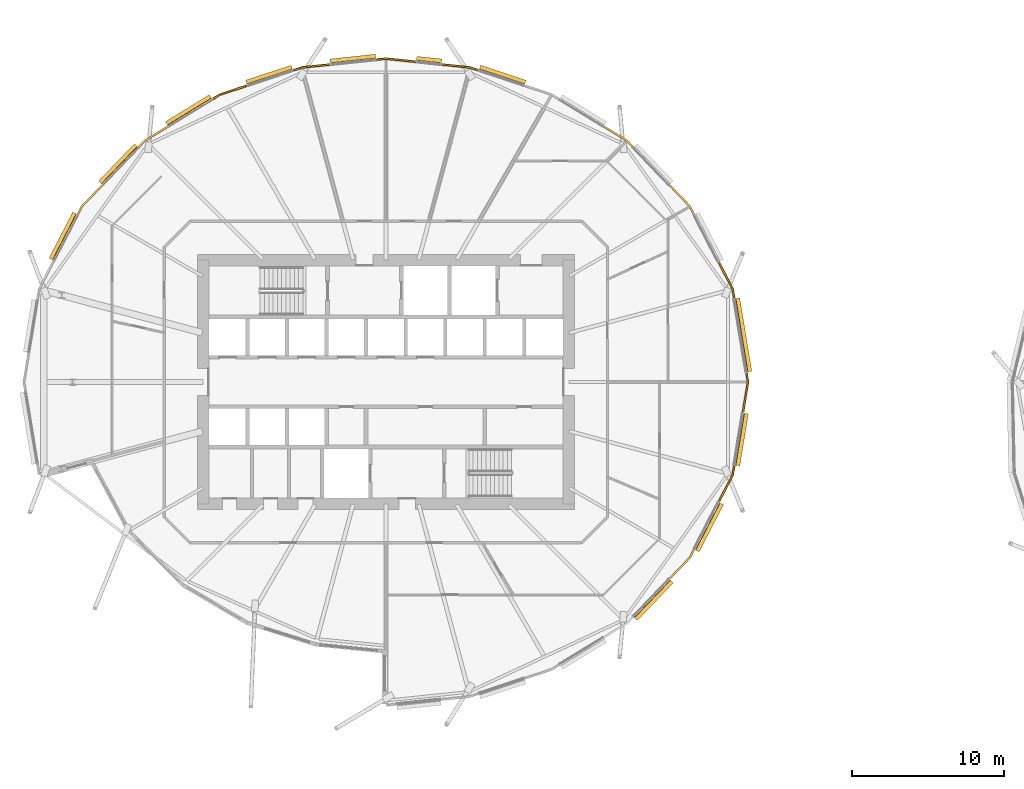
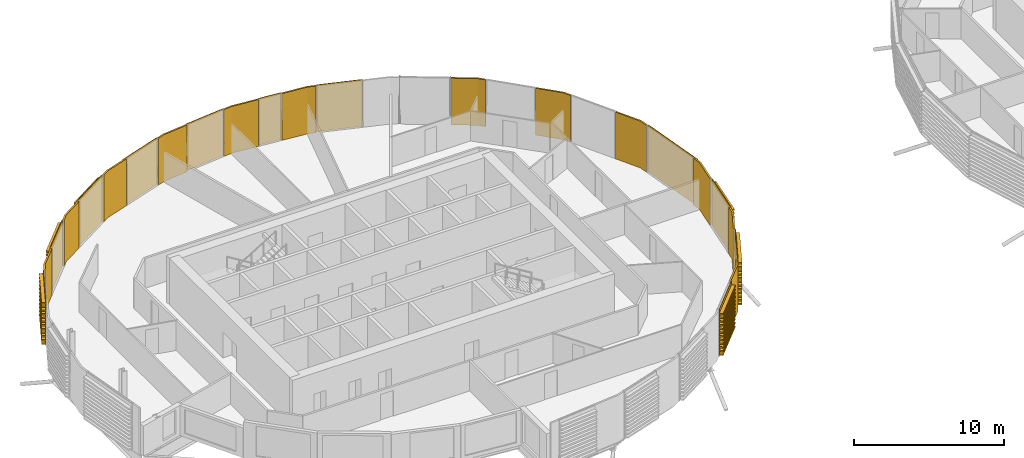
# One storey, part 37 of 40: 23 coverings.
"""IFC4 building model written with IfcOpenShell, lengths in metres."""

from ifc_helpers import new_model, si_unit, direction, frame, origin, place, context, subcontext, project, spatial, polyline, outline, extrude, material, layer, layer_set, material_profile, profile_set, type_object, element, save


model = new_model("IFC4")

# Units and contexts
model_context = context("Model", 3, precision=1e-05, world=origin(), true_north=direction((0.0, 1.0)))
body_context = subcontext(model_context, "Body", "Model", "MODEL_VIEW")
ifc_project = project(units=[si_unit("LENGTHUNIT", "METRE"), si_unit("AREAUNIT", "SQUARE_METRE"), si_unit("VOLUMEUNIT", "CUBIC_METRE"), si_unit("PLANEANGLEUNIT", "RADIAN"), si_unit("MASSUNIT", "GRAM", prefix="KILO")], contexts=[model_context])

# Site, building, storey
site_placement = place(None, origin())
site = spatial("IfcSite", under=ifc_project, at=site_placement, CompositionType="ELEMENT")
building_placement = place(site_placement, origin())
building = spatial("IfcBuilding", under=site, at=building_placement, Name="Rimbun Link Towers", CompositionType="ELEMENT")
storey_placement = place(building_placement, frame((0.0, 0.0, 89.199951171875)))
storey = spatial("IfcBuildingStorey", under=building, at=storey_placement, Name="L21", CompositionType="ELEMENT", Elevation=89.199951171875)

# Coverings
ifc_material_1 = material(Name="Terracotta", Category="masonry")
ifc_layer = layer(ifc_material_1, 0.1201171875)
ifc_layer_set = layer_set([ifc_layer], Name="LINK PIER terracotta cladding 120")
covering_type_1 = type_object("IfcCoveringType", Name="LINK PIER terracotta cladding 120", PredefinedType="CLADDING", material=ifc_layer_set)
covering_1_placement = place(storey_placement, origin())
element("IfcCovering", 1, at=covering_1_placement, inside=storey, type_object=covering_type_1, Name="LINK PIER cladding", PredefinedType="CLADDING", context=body_context, shape_type="SweptSolid", body=[
    extrude(outline(polyline([(-8.144775390625, 0.61181640625), (-8.044189453125, 0.0), (-8.371826171875, -1.9931640625), (-8.25341796875, -2.0126953125), (-7.922607421875, 0.0), (-8.0263671875, 0.63134765625), (-8.144775390625, 0.61181640625)])), origin(), (0.0, 0.0, 1.0), 3.800048828125),
])
covering_2_placement = place(storey_placement, origin())
element("IfcCovering", 2, at=covering_2_placement, inside=storey, type_object=covering_type_1, Name="LINK PIER cladding", PredefinedType="CLADDING", context=body_context, shape_type="SweptSolid", body=[
    extrude(outline(polyline([(-9.94970703125, 7.83349609375), (-9.04443359375, 6.083984375), (-8.94384765625, 5.47216796875), (-8.825439453125, 5.49169921875), (-8.92919921875, 6.1220703125), (-9.84326171875, 7.888671875), (-9.94970703125, 7.83349609375)])), origin(), (0.0, 0.0, 1.0), 3.800048828125),
])
covering_3_placement = place(storey_placement, origin())
element("IfcCovering", 3, at=covering_3_placement, inside=storey, type_object=covering_type_1, Name="LINK PIER cladding", PredefinedType="CLADDING", context=body_context, shape_type="SweptSolid", body=[
    extrude(outline(polyline([(-13.172119140625, 12.879150390625), (-11.84326171875, 11.4931640625), (-11.581298828125, 10.98681640625), (-11.474853515625, 11.0419921875), (-11.74462890625, 11.563720703125), (-13.08544921875, 12.962158203125), (-13.172119140625, 12.879150390625)])), origin(), (0.0, 0.0, 1.0), 3.800048828125),
])
covering_4_placement = place(storey_placement, origin())
element("IfcCovering", 4, at=covering_4_placement, inside=storey, type_object=covering_type_1, Name="LINK PIER cladding", PredefinedType="CLADDING", context=body_context, shape_type="SweptSolid", body=[
    extrude(outline(polyline([(-17.469970703125, 16.714599609375), (-15.96142578125, 15.78857421875), (-15.567138671875, 15.376953125), (-15.48046875, 15.460205078125), (-15.885498046875, 15.882568359375), (-17.406982421875, 16.81689453125), (-17.469970703125, 16.714599609375)])), origin(), (0.0, 0.0, 1.0), 3.800048828125),
])
covering_5_placement = place(storey_placement, origin())
element("IfcCovering", 5, at=covering_5_placement, inside=storey, type_object=covering_type_1, Name="LINK PIER cladding", PredefinedType="CLADDING", context=body_context, shape_type="SweptSolid", body=[
    extrude(outline(polyline([(-28.093994140625, 20.781005859375), (-26.234130859375, 20.585205078125), (-25.693115234375, 20.40576171875), (-25.6552734375, 20.519775390625), (-26.208740234375, 20.703125), (-28.081298828125, 20.900390625), (-28.093994140625, 20.781005859375)])), origin(), (0.0, 0.0, 1.0), 3.800048828125),
])
covering_6_placement = place(storey_placement, origin())
element("IfcCovering", 6, at=covering_6_placement, inside=storey, type_object=covering_type_1, Name="LINK PIER cladding", PredefinedType="CLADDING", context=body_context, shape_type="SweptSolid", body=[
    extrude(outline(polyline([(-32.36669921875, 21.10107421875), (-31.75, 21.166015625), (-29.790771484375, 20.959716796875), (-29.7783203125, 21.0791015625), (-31.75, 21.28662109375), (-32.379150390625, 21.220458984375), (-32.36669921875, 21.10107421875)])), origin(), (0.0, 0.0, 1.0), 3.800048828125),
])
covering_7_placement = place(storey_placement, origin())
element("IfcCovering", 7, at=covering_7_placement, inside=storey, type_object=covering_type_1, Name="LINK PIER cladding", PredefinedType="CLADDING", context=body_context, shape_type="SweptSolid", body=[
    extrude(outline(polyline([(-37.806884765625, 20.40576171875), (-37.265869140625, 20.585205078125), (-35.406005859375, 20.781005859375), (-35.418701171875, 20.900390625), (-37.291259765625, 20.703125), (-37.8447265625, 20.519775390625), (-37.806884765625, 20.40576171875)])), origin(), (0.0, 0.0, 1.0), 3.800048828125),
])
covering_8_placement = place(storey_placement, origin())
element("IfcCovering", 8, at=covering_8_placement, inside=storey, type_object=covering_type_1, Name="LINK PIER cladding", PredefinedType="CLADDING", context=body_context, shape_type="SweptSolid", body=[
    extrude(outline(polyline([(-43.09765625, 18.51513671875), (-42.61181640625, 18.8134765625), (-40.8369140625, 19.401611328125), (-40.87451171875, 19.515625), (-42.662841796875, 18.9228515625), (-43.160400390625, 18.617431640625), (-43.09765625, 18.51513671875)])), origin(), (0.0, 0.0, 1.0), 3.800048828125),
])
covering_9_placement = place(storey_placement, origin())
element("IfcCovering", 9, at=covering_9_placement, inside=storey, type_object=covering_type_1, Name="LINK PIER cladding", PredefinedType="CLADDING", context=body_context, shape_type="SweptSolid", body=[
    extrude(outline(polyline([(-47.932861328125, 15.376953125), (-47.53857421875, 15.78857421875), (-46.030029296875, 16.714599609375), (-46.093017578125, 16.81689453125), (-47.614501953125, 15.882568359375), (-48.01953125, 15.460205078125), (-47.932861328125, 15.376953125)])), origin(), (0.0, 0.0, 1.0), 3.800048828125),
])
covering_10_placement = place(storey_placement, origin())
element("IfcCovering", 10, at=covering_10_placement, inside=storey, type_object=covering_type_1, Name="LINK PIER cladding", PredefinedType="CLADDING", context=body_context, shape_type="SweptSolid", body=[
    extrude(outline(polyline([(-51.918701171875, 10.98681640625), (-51.65673828125, 11.4931640625), (-50.327880859375, 12.879150390625), (-50.41455078125, 12.962158203125), (-51.75537109375, 11.563720703125), (-52.025146484375, 11.0419921875), (-51.918701171875, 10.98681640625)])), origin(), (0.0, 0.0, 1.0), 3.800048828125),
])
covering_11_placement = place(storey_placement, origin())
element("IfcCovering", 11, at=covering_11_placement, inside=storey, type_object=covering_type_1, Name="LINK PIER cladding", PredefinedType="CLADDING", context=body_context, shape_type="SweptSolid", body=[
    extrude(outline(polyline([(-11.581298828125, -10.98681640625), (-11.84326171875, -11.4931640625), (-13.172119140625, -12.879150390625), (-13.08544921875, -12.962158203125), (-11.74462890625, -11.563720703125), (-11.474853515625, -11.0419921875), (-11.581298828125, -10.98681640625)])), origin(), (0.0, 0.0, 1.0), 3.800048828125),
])
covering_12_placement = place(storey_placement, origin())
element("IfcCovering", 12, at=covering_12_placement, inside=storey, type_object=covering_type_1, Name="LINK PIER cladding", PredefinedType="CLADDING", context=body_context, shape_type="SweptSolid", body=[
    extrude(outline(polyline([(-8.94384765625, -5.47216796875), (-9.04443359375, -6.083984375), (-9.94970703125, -7.83349609375), (-9.84326171875, -7.888671875), (-8.92919921875, -6.1220703125), (-8.825439453125, -5.49169921875), (-8.94384765625, -5.47216796875)])), origin(), (0.0, 0.0, 1.0), 3.800048828125),
])
ifc_material_2 = material(Name="Terracotta", Category="masonry")
ifc_material_profile = material_profile(ifc_material_2, outline(polyline([(0.123046875, 0.0), (0.1630859375, 0.0), (0.1630859375, 0.10009765625), (0.423095703125, 0.10009765625), (0.423095703125, 0.219970703125), (0.1630859375, 0.219970703125), (0.1630859375, 0.39990234375), (0.423095703125, 0.39990234375), (0.423095703125, 0.52001953125), (0.1630859375, 0.52001953125), (0.1630859375, 0.699951171875), (0.423095703125, 0.699951171875), (0.423095703125, 0.820068359375), (0.1630859375, 0.820068359375), (0.1630859375, 1.0), (0.423095703125, 1.0), (0.423095703125, 1.1201171875), (0.1630859375, 1.1201171875), (0.1630859375, 1.300048828125), (0.423095703125, 1.300048828125), (0.423095703125, 1.419921875), (0.1630859375, 1.419921875), (0.1630859375, 1.60009765625), (0.423095703125, 1.60009765625), (0.423095703125, 1.719970703125), (0.1630859375, 1.719970703125), (0.1630859375, 1.89990234375), (0.423095703125, 1.89990234375), (0.423095703125, 2.02001953125), (0.1630859375, 2.02001953125), (0.1630859375, 2.199951171875), (0.423095703125, 2.199951171875), (0.423095703125, 2.320068359375), (0.1630859375, 2.320068359375), (0.1630859375, 2.5), (0.423095703125, 2.5), (0.423095703125, 2.6201171875), (0.1630859375, 2.6201171875), (0.1630859375, 2.800048828125), (0.423095703125, 2.800048828125), (0.423095703125, 2.919921875), (0.1630859375, 2.919921875), (0.1630859375, 3.10009765625), (0.423095703125, 3.10009765625), (0.423095703125, 3.219970703125), (0.1630859375, 3.219970703125), (0.1630859375, 3.39990234375), (0.423095703125, 3.39990234375), (0.423095703125, 3.52001953125), (0.1630859375, 3.52001953125), (0.1630859375, 3.800048828125), (0.123046875, 3.800048828125), (0.123046875, 0.0)])), Name="BAGUETTE 120X300")
ifc_profile_set = profile_set([ifc_material_profile], Name="Terracotta")
covering_type_2 = type_object("IfcCoveringType", Name="TERRACOTTA BAGUETTE 120X300 H3800", PredefinedType="CLADDING", material=ifc_profile_set)
covering_13_placement = place(storey_placement, frame((-8.93896484375, 5.442626953125, 0.0), z_axis=(0.162217977598, -0.986754948173, 0.0), x_axis=(0.986754948173, 0.162217977598, 0.0)))
element("IfcCovering", 13, at=covering_13_placement, inside=storey, type_object=covering_type_2, Name="TERRACOTTA BAGUETTE", PredefinedType="CLADDING", context=body_context, shape_type="SweptSolid", body=[
    extrude(outline(polyline([(0.123046875, 0.0), (0.1630859375, 0.0), (0.1630859375, 0.10009765625), (0.423095703125, 0.10009765625), (0.423095703125, 0.219970703125), (0.1630859375, 0.219970703125), (0.1630859375, 0.39990234375), (0.423095703125, 0.39990234375), (0.423095703125, 0.52001953125), (0.1630859375, 0.52001953125), (0.1630859375, 0.699951171875), (0.423095703125, 0.699951171875), (0.423095703125, 0.820068359375), (0.1630859375, 0.820068359375), (0.1630859375, 1.0), (0.423095703125, 1.0), (0.423095703125, 1.1201171875), (0.1630859375, 1.1201171875), (0.1630859375, 1.300048828125), (0.423095703125, 1.300048828125), (0.423095703125, 1.419921875), (0.1630859375, 1.419921875), (0.1630859375, 1.60009765625), (0.423095703125, 1.60009765625), (0.423095703125, 1.719970703125), (0.1630859375, 1.719970703125), (0.1630859375, 1.89990234375), (0.423095703125, 1.89990234375), (0.423095703125, 2.02001953125), (0.1630859375, 2.02001953125), (0.1630859375, 2.199951171875), (0.423095703125, 2.199951171875), (0.423095703125, 2.320068359375), (0.1630859375, 2.320068359375), (0.1630859375, 2.5), (0.423095703125, 2.5), (0.423095703125, 2.6201171875), (0.1630859375, 2.6201171875), (0.1630859375, 2.800048828125), (0.423095703125, 2.800048828125), (0.423095703125, 2.919921875), (0.1630859375, 2.919921875), (0.1630859375, 3.10009765625), (0.423095703125, 3.10009765625), (0.423095703125, 3.219970703125), (0.1630859375, 3.219970703125), (0.1630859375, 3.39990234375), (0.423095703125, 3.39990234375), (0.423095703125, 3.52001953125), (0.1630859375, 3.52001953125), (0.1630859375, 3.800048828125), (0.123046875, 3.800048828125), (0.123046875, 0.0)])), origin(), (0.0, 0.0, 1.0), 4.86572265625),
])
covering_14_placement = place(storey_placement, frame((-25.66455078125, 20.396240234375, 0.0), z_axis=(0.949243070926, -0.314543466469, 0.0), x_axis=(0.314543466469, 0.949243070926, 0.0)))
element("IfcCovering", 14, at=covering_14_placement, inside=storey, type_object=covering_type_2, Name="TERRACOTTA BAGUETTE", PredefinedType="CLADDING", context=body_context, shape_type="SweptSolid", body=[
    extrude(outline(polyline([(0.123046875, 0.0), (0.1630859375, 0.0), (0.1630859375, 0.10009765625), (0.423095703125, 0.10009765625), (0.423095703125, 0.219970703125), (0.1630859375, 0.219970703125), (0.1630859375, 0.39990234375), (0.423095703125, 0.39990234375), (0.423095703125, 0.52001953125), (0.1630859375, 0.52001953125), (0.1630859375, 0.699951171875), (0.423095703125, 0.699951171875), (0.423095703125, 0.820068359375), (0.1630859375, 0.820068359375), (0.1630859375, 1.0), (0.423095703125, 1.0), (0.423095703125, 1.1201171875), (0.1630859375, 1.1201171875), (0.1630859375, 1.300048828125), (0.423095703125, 1.300048828125), (0.423095703125, 1.419921875), (0.1630859375, 1.419921875), (0.1630859375, 1.60009765625), (0.423095703125, 1.60009765625), (0.423095703125, 1.719970703125), (0.1630859375, 1.719970703125), (0.1630859375, 1.89990234375), (0.423095703125, 1.89990234375), (0.423095703125, 2.02001953125), (0.1630859375, 2.02001953125), (0.1630859375, 2.199951171875), (0.423095703125, 2.199951171875), (0.423095703125, 2.320068359375), (0.1630859375, 2.320068359375), (0.1630859375, 2.5), (0.423095703125, 2.5), (0.423095703125, 2.6201171875), (0.1630859375, 2.6201171875), (0.1630859375, 2.800048828125), (0.423095703125, 2.800048828125), (0.423095703125, 2.919921875), (0.1630859375, 2.919921875), (0.1630859375, 3.10009765625), (0.423095703125, 3.10009765625), (0.423095703125, 3.219970703125), (0.1630859375, 3.219970703125), (0.1630859375, 3.39990234375), (0.423095703125, 3.39990234375), (0.423095703125, 3.52001953125), (0.1630859375, 3.52001953125), (0.1630859375, 3.800048828125), (0.123046875, 3.800048828125), (0.123046875, 0.0)])), origin(), (0.0, 0.0, 1.0), 3.1318359375),
])
covering_15_placement = place(storey_placement, frame((-29.760986328125, 20.95654296875, 0.0), z_axis=(0.994503827589, -0.10470022402, 0.0), x_axis=(0.10470022402, 0.994503827589, 0.0)))
element("IfcCovering", 15, at=covering_15_placement, inside=storey, type_object=covering_type_2, Name="TERRACOTTA BAGUETTE", PredefinedType="CLADDING", context=body_context, shape_type="SweptSolid", body=[
    extrude(outline(polyline([(0.123046875, 0.0), (0.1630859375, 0.0), (0.1630859375, 0.10009765625), (0.423095703125, 0.10009765625), (0.423095703125, 0.219970703125), (0.1630859375, 0.219970703125), (0.1630859375, 0.39990234375), (0.423095703125, 0.39990234375), (0.423095703125, 0.52001953125), (0.1630859375, 0.52001953125), (0.1630859375, 0.699951171875), (0.423095703125, 0.699951171875), (0.423095703125, 0.820068359375), (0.1630859375, 0.820068359375), (0.1630859375, 1.0), (0.423095703125, 1.0), (0.423095703125, 1.1201171875), (0.1630859375, 1.1201171875), (0.1630859375, 1.300048828125), (0.423095703125, 1.300048828125), (0.423095703125, 1.419921875), (0.1630859375, 1.419921875), (0.1630859375, 1.60009765625), (0.423095703125, 1.60009765625), (0.423095703125, 1.719970703125), (0.1630859375, 1.719970703125), (0.1630859375, 1.89990234375), (0.423095703125, 1.89990234375), (0.423095703125, 2.02001953125), (0.1630859375, 2.02001953125), (0.1630859375, 2.199951171875), (0.423095703125, 2.199951171875), (0.423095703125, 2.320068359375), (0.1630859375, 2.320068359375), (0.1630859375, 2.5), (0.423095703125, 2.5), (0.423095703125, 2.6201171875), (0.1630859375, 2.6201171875), (0.1630859375, 2.800048828125), (0.423095703125, 2.800048828125), (0.423095703125, 2.919921875), (0.1630859375, 2.919921875), (0.1630859375, 3.10009765625), (0.423095703125, 3.10009765625), (0.423095703125, 3.219970703125), (0.1630859375, 3.219970703125), (0.1630859375, 3.39990234375), (0.423095703125, 3.39990234375), (0.423095703125, 3.52001953125), (0.1630859375, 3.52001953125), (0.1630859375, 3.800048828125), (0.123046875, 3.800048828125), (0.123046875, 0.0)])), origin(), (0.0, 0.0, 1.0), 1.646240234375),
])
covering_16_placement = place(storey_placement, frame((-35.376220703125, 20.7841796875, 0.0), z_axis=(0.994503220277, 0.104705992467, 0.0), x_axis=(-0.104705992467, 0.994503220277, 0.0)))
element("IfcCovering", 16, at=covering_16_placement, inside=storey, type_object=covering_type_2, Name="TERRACOTTA BAGUETTE", PredefinedType="CLADDING", context=body_context, shape_type="SweptSolid", body=[
    extrude(outline(polyline([(0.123046875, 0.0), (0.1630859375, 0.0), (0.1630859375, 0.10009765625), (0.423095703125, 0.10009765625), (0.423095703125, 0.219970703125), (0.1630859375, 0.219970703125), (0.1630859375, 0.39990234375), (0.423095703125, 0.39990234375), (0.423095703125, 0.52001953125), (0.1630859375, 0.52001953125), (0.1630859375, 0.699951171875), (0.423095703125, 0.699951171875), (0.423095703125, 0.820068359375), (0.1630859375, 0.820068359375), (0.1630859375, 1.0), (0.423095703125, 1.0), (0.423095703125, 1.1201171875), (0.1630859375, 1.1201171875), (0.1630859375, 1.300048828125), (0.423095703125, 1.300048828125), (0.423095703125, 1.419921875), (0.1630859375, 1.419921875), (0.1630859375, 1.60009765625), (0.423095703125, 1.60009765625), (0.423095703125, 1.719970703125), (0.1630859375, 1.719970703125), (0.1630859375, 1.89990234375), (0.423095703125, 1.89990234375), (0.423095703125, 2.02001953125), (0.1630859375, 2.02001953125), (0.1630859375, 2.199951171875), (0.423095703125, 2.199951171875), (0.423095703125, 2.320068359375), (0.1630859375, 2.320068359375), (0.1630859375, 2.5), (0.423095703125, 2.5), (0.423095703125, 2.6201171875), (0.1630859375, 2.6201171875), (0.1630859375, 2.800048828125), (0.423095703125, 2.800048828125), (0.423095703125, 2.919921875), (0.1630859375, 2.919921875), (0.1630859375, 3.10009765625), (0.423095703125, 3.10009765625), (0.423095703125, 3.219970703125), (0.1630859375, 3.219970703125), (0.1630859375, 3.39990234375), (0.423095703125, 3.39990234375), (0.423095703125, 3.52001953125), (0.1630859375, 3.52001953125), (0.1630859375, 3.800048828125), (0.123046875, 3.800048828125), (0.123046875, 0.0)])), origin(), (0.0, 0.0, 1.0), 2.99609375),
])
covering_17_placement = place(storey_placement, frame((-40.808349609375, 19.4111328125, 0.0), z_axis=(0.949243070926, 0.314543466469, 0.0), x_axis=(-0.314543466469, 0.949243070926, 0.0)))
element("IfcCovering", 17, at=covering_17_placement, inside=storey, type_object=covering_type_2, Name="TERRACOTTA BAGUETTE", PredefinedType="CLADDING", context=body_context, shape_type="SweptSolid", body=[
    extrude(outline(polyline([(0.123046875, 0.0), (0.1630859375, 0.0), (0.1630859375, 0.10009765625), (0.423095703125, 0.10009765625), (0.423095703125, 0.219970703125), (0.1630859375, 0.219970703125), (0.1630859375, 0.39990234375), (0.423095703125, 0.39990234375), (0.423095703125, 0.52001953125), (0.1630859375, 0.52001953125), (0.1630859375, 0.699951171875), (0.423095703125, 0.699951171875), (0.423095703125, 0.820068359375), (0.1630859375, 0.820068359375), (0.1630859375, 1.0), (0.423095703125, 1.0), (0.423095703125, 1.1201171875), (0.1630859375, 1.1201171875), (0.1630859375, 1.300048828125), (0.423095703125, 1.300048828125), (0.423095703125, 1.419921875), (0.1630859375, 1.419921875), (0.1630859375, 1.60009765625), (0.423095703125, 1.60009765625), (0.423095703125, 1.719970703125), (0.1630859375, 1.719970703125), (0.1630859375, 1.89990234375), (0.423095703125, 1.89990234375), (0.423095703125, 2.02001953125), (0.1630859375, 2.02001953125), (0.1630859375, 2.199951171875), (0.423095703125, 2.199951171875), (0.423095703125, 2.320068359375), (0.1630859375, 2.320068359375), (0.1630859375, 2.5), (0.423095703125, 2.5), (0.423095703125, 2.6201171875), (0.1630859375, 2.6201171875), (0.1630859375, 2.800048828125), (0.423095703125, 2.800048828125), (0.423095703125, 2.919921875), (0.1630859375, 2.919921875), (0.1630859375, 3.10009765625), (0.423095703125, 3.10009765625), (0.423095703125, 3.219970703125), (0.1630859375, 3.219970703125), (0.1630859375, 3.39990234375), (0.423095703125, 3.39990234375), (0.423095703125, 3.52001953125), (0.1630859375, 3.52001953125), (0.1630859375, 3.800048828125), (0.123046875, 3.800048828125), (0.123046875, 0.0)])), origin(), (0.0, 0.0, 1.0), 3.1318359375),
])
covering_18_placement = place(storey_placement, frame((-46.004638671875, 16.730224609375, 0.0), z_axis=(0.85216614194, 0.523271312544, 0.0), x_axis=(-0.523271312544, 0.85216614194, 0.0)))
element("IfcCovering", 18, at=covering_18_placement, inside=storey, type_object=covering_type_2, Name="TERRACOTTA BAGUETTE", PredefinedType="CLADDING", context=body_context, shape_type="SweptSolid", body=[
    extrude(outline(polyline([(0.123046875, 0.0), (0.1630859375, 0.0), (0.1630859375, 0.10009765625), (0.423095703125, 0.10009765625), (0.423095703125, 0.219970703125), (0.1630859375, 0.219970703125), (0.1630859375, 0.39990234375), (0.423095703125, 0.39990234375), (0.423095703125, 0.52001953125), (0.1630859375, 0.52001953125), (0.1630859375, 0.699951171875), (0.423095703125, 0.699951171875), (0.423095703125, 0.820068359375), (0.1630859375, 0.820068359375), (0.1630859375, 1.0), (0.423095703125, 1.0), (0.423095703125, 1.1201171875), (0.1630859375, 1.1201171875), (0.1630859375, 1.300048828125), (0.423095703125, 1.300048828125), (0.423095703125, 1.419921875), (0.1630859375, 1.419921875), (0.1630859375, 1.60009765625), (0.423095703125, 1.60009765625), (0.423095703125, 1.719970703125), (0.1630859375, 1.719970703125), (0.1630859375, 1.89990234375), (0.423095703125, 1.89990234375), (0.423095703125, 2.02001953125), (0.1630859375, 2.02001953125), (0.1630859375, 2.199951171875), (0.423095703125, 2.199951171875), (0.423095703125, 2.320068359375), (0.1630859375, 2.320068359375), (0.1630859375, 2.5), (0.423095703125, 2.5), (0.423095703125, 2.6201171875), (0.1630859375, 2.6201171875), (0.1630859375, 2.800048828125), (0.423095703125, 2.800048828125), (0.423095703125, 2.919921875), (0.1630859375, 2.919921875), (0.1630859375, 3.10009765625), (0.423095703125, 3.10009765625), (0.423095703125, 3.219970703125), (0.1630859375, 3.219970703125), (0.1630859375, 3.39990234375), (0.423095703125, 3.39990234375), (0.423095703125, 3.52001953125), (0.1630859375, 3.52001953125), (0.1630859375, 3.800048828125), (0.123046875, 3.800048828125), (0.123046875, 0.0)])), origin(), (0.0, 0.0, 1.0), 3.381103515625),
])
covering_19_placement = place(storey_placement, frame((-50.30712890625, 12.900634765625, 0.0), z_axis=(0.692016066289, 0.721882098406, 0.0), x_axis=(-0.721882098406, 0.692016066289, 0.0)))
element("IfcCovering", 19, at=covering_19_placement, inside=storey, type_object=covering_type_2, Name="TERRACOTTA BAGUETTE", PredefinedType="CLADDING", context=body_context, shape_type="SweptSolid", body=[
    extrude(outline(polyline([(0.123046875, 0.0), (0.1630859375, 0.0), (0.1630859375, 0.10009765625), (0.423095703125, 0.10009765625), (0.423095703125, 0.219970703125), (0.1630859375, 0.219970703125), (0.1630859375, 0.39990234375), (0.423095703125, 0.39990234375), (0.423095703125, 0.52001953125), (0.1630859375, 0.52001953125), (0.1630859375, 0.699951171875), (0.423095703125, 0.699951171875), (0.423095703125, 0.820068359375), (0.1630859375, 0.820068359375), (0.1630859375, 1.0), (0.423095703125, 1.0), (0.423095703125, 1.1201171875), (0.1630859375, 1.1201171875), (0.1630859375, 1.300048828125), (0.423095703125, 1.300048828125), (0.423095703125, 1.419921875), (0.1630859375, 1.419921875), (0.1630859375, 1.60009765625), (0.423095703125, 1.60009765625), (0.423095703125, 1.719970703125), (0.1630859375, 1.719970703125), (0.1630859375, 1.89990234375), (0.423095703125, 1.89990234375), (0.423095703125, 2.02001953125), (0.1630859375, 2.02001953125), (0.1630859375, 2.199951171875), (0.423095703125, 2.199951171875), (0.423095703125, 2.320068359375), (0.1630859375, 2.320068359375), (0.1630859375, 2.5), (0.423095703125, 2.5), (0.423095703125, 2.6201171875), (0.1630859375, 2.6201171875), (0.1630859375, 2.800048828125), (0.423095703125, 2.800048828125), (0.423095703125, 2.919921875), (0.1630859375, 2.919921875), (0.1630859375, 3.10009765625), (0.423095703125, 3.10009765625), (0.423095703125, 3.219970703125), (0.1630859375, 3.219970703125), (0.1630859375, 3.39990234375), (0.423095703125, 3.39990234375), (0.423095703125, 3.52001953125), (0.1630859375, 3.52001953125), (0.1630859375, 3.800048828125), (0.123046875, 3.800048828125), (0.123046875, 0.0)])), origin(), (0.0, 0.0, 1.0), 3.400634765625),
])
covering_20_placement = place(storey_placement, frame((-53.490478515625, 7.948974609375, 0.0), z_axis=(0.459556122061, 0.888148732294, 0.0), x_axis=(-0.888148732294, 0.459556122061, 0.0)))
element("IfcCovering", 20, at=covering_20_placement, inside=storey, type_object=covering_type_2, Name="TERRACOTTA BAGUETTE", PredefinedType="CLADDING", context=body_context, shape_type="SweptSolid", body=[
    extrude(outline(polyline([(0.123046875, 0.0), (0.1630859375, 0.0), (0.1630859375, 0.10009765625), (0.423095703125, 0.10009765625), (0.423095703125, 0.219970703125), (0.1630859375, 0.219970703125), (0.1630859375, 0.39990234375), (0.423095703125, 0.39990234375), (0.423095703125, 0.52001953125), (0.1630859375, 0.52001953125), (0.1630859375, 0.699951171875), (0.423095703125, 0.699951171875), (0.423095703125, 0.820068359375), (0.1630859375, 0.820068359375), (0.1630859375, 1.0), (0.423095703125, 1.0), (0.423095703125, 1.1201171875), (0.1630859375, 1.1201171875), (0.1630859375, 1.300048828125), (0.423095703125, 1.300048828125), (0.423095703125, 1.419921875), (0.1630859375, 1.419921875), (0.1630859375, 1.60009765625), (0.423095703125, 1.60009765625), (0.423095703125, 1.719970703125), (0.1630859375, 1.719970703125), (0.1630859375, 1.89990234375), (0.423095703125, 1.89990234375), (0.423095703125, 2.02001953125), (0.1630859375, 2.02001953125), (0.1630859375, 2.199951171875), (0.423095703125, 2.199951171875), (0.423095703125, 2.320068359375), (0.1630859375, 2.320068359375), (0.1630859375, 2.5), (0.423095703125, 2.5), (0.423095703125, 2.6201171875), (0.1630859375, 2.6201171875), (0.1630859375, 2.800048828125), (0.423095703125, 2.800048828125), (0.423095703125, 2.919921875), (0.1630859375, 2.919921875), (0.1630859375, 3.10009765625), (0.423095703125, 3.10009765625), (0.423095703125, 3.219970703125), (0.1630859375, 3.219970703125), (0.1630859375, 3.39990234375), (0.423095703125, 3.39990234375), (0.423095703125, 3.52001953125), (0.1630859375, 3.52001953125), (0.1630859375, 3.800048828125), (0.123046875, 3.800048828125), (0.123046875, 0.0)])), origin(), (0.0, 0.0, 1.0), 3.390380859375),
])
covering_21_placement = place(storey_placement, frame((-13.19287109375, -12.900634765625, 0.0), z_axis=(-0.692016066289, -0.721882098406, 0.0), x_axis=(0.721882098406, -0.692016066289, 0.0)))
element("IfcCovering", 21, at=covering_21_placement, inside=storey, type_object=covering_type_2, Name="TERRACOTTA BAGUETTE", PredefinedType="CLADDING", context=body_context, shape_type="SweptSolid", body=[
    extrude(outline(polyline([(0.123046875, 0.0), (0.1630859375, 0.0), (0.1630859375, 0.10009765625), (0.423095703125, 0.10009765625), (0.423095703125, 0.219970703125), (0.1630859375, 0.219970703125), (0.1630859375, 0.39990234375), (0.423095703125, 0.39990234375), (0.423095703125, 0.52001953125), (0.1630859375, 0.52001953125), (0.1630859375, 0.699951171875), (0.423095703125, 0.699951171875), (0.423095703125, 0.820068359375), (0.1630859375, 0.820068359375), (0.1630859375, 1.0), (0.423095703125, 1.0), (0.423095703125, 1.1201171875), (0.1630859375, 1.1201171875), (0.1630859375, 1.300048828125), (0.423095703125, 1.300048828125), (0.423095703125, 1.419921875), (0.1630859375, 1.419921875), (0.1630859375, 1.60009765625), (0.423095703125, 1.60009765625), (0.423095703125, 1.719970703125), (0.1630859375, 1.719970703125), (0.1630859375, 1.89990234375), (0.423095703125, 1.89990234375), (0.423095703125, 2.02001953125), (0.1630859375, 2.02001953125), (0.1630859375, 2.199951171875), (0.423095703125, 2.199951171875), (0.423095703125, 2.320068359375), (0.1630859375, 2.320068359375), (0.1630859375, 2.5), (0.423095703125, 2.5), (0.423095703125, 2.6201171875), (0.1630859375, 2.6201171875), (0.1630859375, 2.800048828125), (0.423095703125, 2.800048828125), (0.423095703125, 2.919921875), (0.1630859375, 2.919921875), (0.1630859375, 3.10009765625), (0.423095703125, 3.10009765625), (0.423095703125, 3.219970703125), (0.1630859375, 3.219970703125), (0.1630859375, 3.39990234375), (0.423095703125, 3.39990234375), (0.423095703125, 3.52001953125), (0.1630859375, 3.52001953125), (0.1630859375, 3.800048828125), (0.123046875, 3.800048828125), (0.123046875, 0.0)])), origin(), (0.0, 0.0, 1.0), 3.400634765625),
])
covering_22_placement = place(storey_placement, frame((-9.963623046875, -7.860107421875, 0.0), z_axis=(-0.459537083826, -0.888158583018, 0.0), x_axis=(0.888158583018, -0.459537083826, 0.0)))
element("IfcCovering", 22, at=covering_22_placement, inside=storey, type_object=covering_type_2, Name="TERRACOTTA BAGUETTE", PredefinedType="CLADDING", context=body_context, shape_type="SweptSolid", body=[
    extrude(outline(polyline([(0.123046875, 0.0), (0.1630859375, 0.0), (0.1630859375, 0.10009765625), (0.423095703125, 0.10009765625), (0.423095703125, 0.219970703125), (0.1630859375, 0.219970703125), (0.1630859375, 0.39990234375), (0.423095703125, 0.39990234375), (0.423095703125, 0.52001953125), (0.1630859375, 0.52001953125), (0.1630859375, 0.699951171875), (0.423095703125, 0.699951171875), (0.423095703125, 0.820068359375), (0.1630859375, 0.820068359375), (0.1630859375, 1.0), (0.423095703125, 1.0), (0.423095703125, 1.1201171875), (0.1630859375, 1.1201171875), (0.1630859375, 1.300048828125), (0.423095703125, 1.300048828125), (0.423095703125, 1.419921875), (0.1630859375, 1.419921875), (0.1630859375, 1.60009765625), (0.423095703125, 1.60009765625), (0.423095703125, 1.719970703125), (0.1630859375, 1.719970703125), (0.1630859375, 1.89990234375), (0.423095703125, 1.89990234375), (0.423095703125, 2.02001953125), (0.1630859375, 2.02001953125), (0.1630859375, 2.199951171875), (0.423095703125, 2.199951171875), (0.423095703125, 2.320068359375), (0.1630859375, 2.320068359375), (0.1630859375, 2.5), (0.423095703125, 2.5), (0.423095703125, 2.6201171875), (0.1630859375, 2.6201171875), (0.1630859375, 2.800048828125), (0.423095703125, 2.800048828125), (0.423095703125, 2.919921875), (0.1630859375, 2.919921875), (0.1630859375, 3.10009765625), (0.423095703125, 3.10009765625), (0.423095703125, 3.219970703125), (0.1630859375, 3.219970703125), (0.1630859375, 3.39990234375), (0.423095703125, 3.39990234375), (0.423095703125, 3.52001953125), (0.1630859375, 3.52001953125), (0.1630859375, 3.800048828125), (0.123046875, 3.800048828125), (0.123046875, 0.0)])), origin(), (0.0, 0.0, 1.0), 3.490478515625),
])
covering_23_placement = place(storey_placement, frame((-8.376708984375, -2.02294921875, 0.0), z_axis=(-0.162239487498, -0.986751411804, 0.0), x_axis=(0.986751411804, -0.162239487498, 0.0)))
element("IfcCovering", 23, at=covering_23_placement, inside=storey, type_object=covering_type_2, Name="TERRACOTTA BAGUETTE", PredefinedType="CLADDING", context=body_context, shape_type="SweptSolid", body=[
    extrude(outline(polyline([(0.123046875, 0.0), (0.1630859375, 0.0), (0.1630859375, 0.10009765625), (0.423095703125, 0.10009765625), (0.423095703125, 0.219970703125), (0.1630859375, 0.219970703125), (0.1630859375, 0.39990234375), (0.423095703125, 0.39990234375), (0.423095703125, 0.52001953125), (0.1630859375, 0.52001953125), (0.1630859375, 0.699951171875), (0.423095703125, 0.699951171875), (0.423095703125, 0.820068359375), (0.1630859375, 0.820068359375), (0.1630859375, 1.0), (0.423095703125, 1.0), (0.423095703125, 1.1201171875), (0.1630859375, 1.1201171875), (0.1630859375, 1.300048828125), (0.423095703125, 1.300048828125), (0.423095703125, 1.419921875), (0.1630859375, 1.419921875), (0.1630859375, 1.60009765625), (0.423095703125, 1.60009765625), (0.423095703125, 1.719970703125), (0.1630859375, 1.719970703125), (0.1630859375, 1.89990234375), (0.423095703125, 1.89990234375), (0.423095703125, 2.02001953125), (0.1630859375, 2.02001953125), (0.1630859375, 2.199951171875), (0.423095703125, 2.199951171875), (0.423095703125, 2.320068359375), (0.1630859375, 2.320068359375), (0.1630859375, 2.5), (0.423095703125, 2.5), (0.423095703125, 2.6201171875), (0.1630859375, 2.6201171875), (0.1630859375, 2.800048828125), (0.423095703125, 2.800048828125), (0.423095703125, 2.919921875), (0.1630859375, 2.919921875), (0.1630859375, 3.10009765625), (0.423095703125, 3.10009765625), (0.423095703125, 3.219970703125), (0.1630859375, 3.219970703125), (0.1630859375, 3.39990234375), (0.423095703125, 3.39990234375), (0.423095703125, 3.52001953125), (0.1630859375, 3.52001953125), (0.1630859375, 3.800048828125), (0.123046875, 3.800048828125), (0.123046875, 0.0)])), origin(), (0.0, 0.0, 1.0), 3.465576171875),
])

save(model, "model.ifc")
